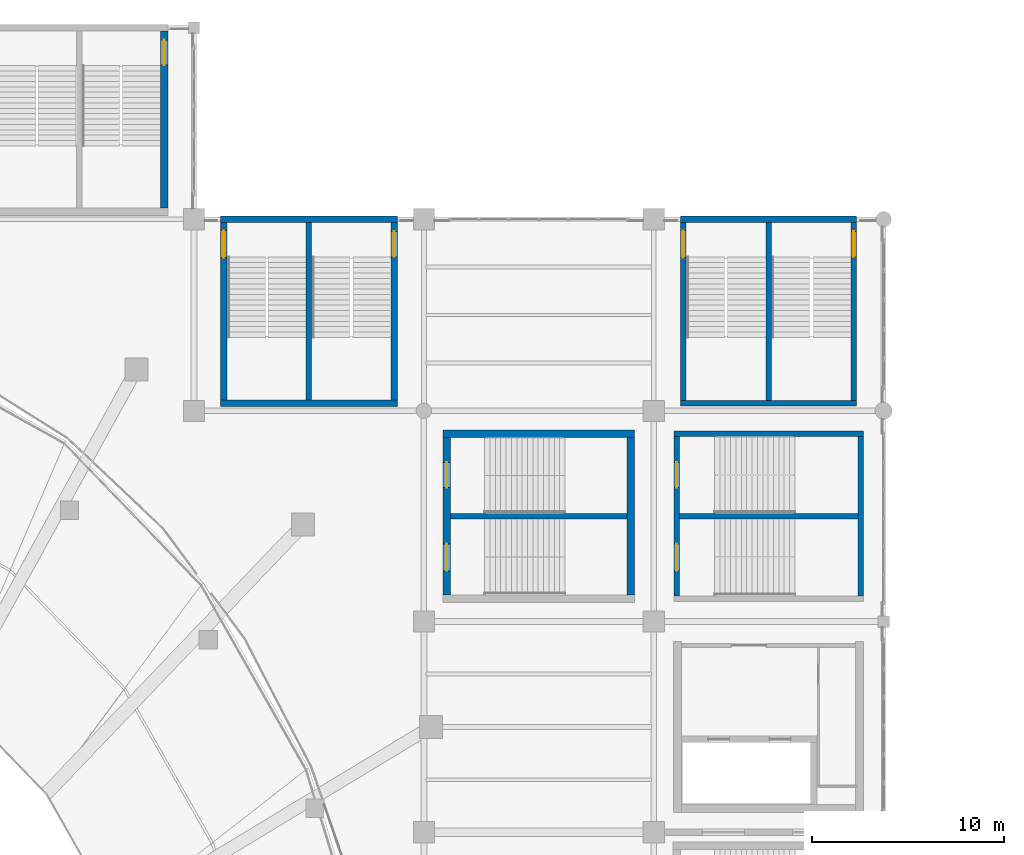
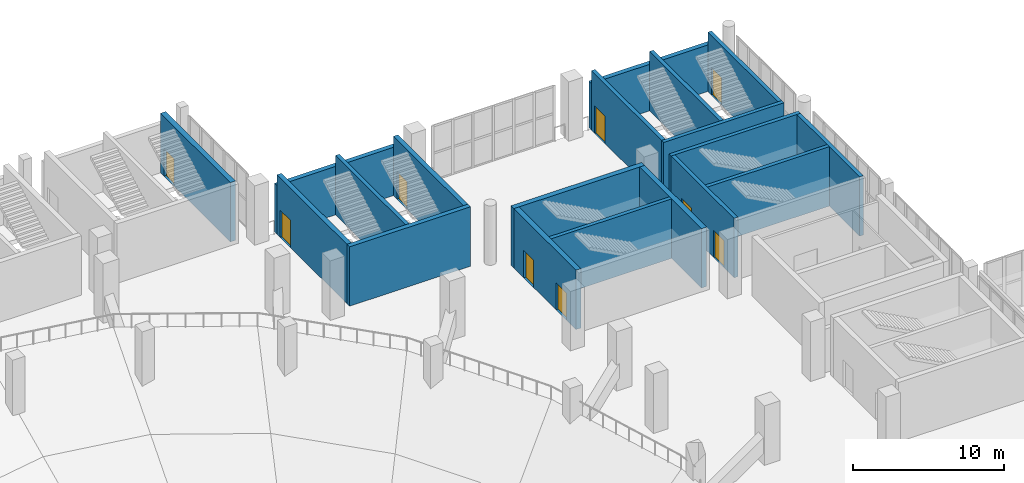
# One storey, part 114 of 136: 19 walls, 9 doors, 9 openings.
"""IFC4 building model written with IfcOpenShell, lengths in metres."""

from ifc_helpers import new_model, si_unit, direction, frame, frame_2d, origin, place, context, subcontext, project, spatial, rectangle, extrude, material, layer, layer_set, type_object, element, fill, save


model = new_model("IFC4")

# Units and contexts
model_context = context("Model", 3, precision=1e-05, world=origin(), true_north=direction((0.0, 1.0)))
body_context = subcontext(model_context, "Body", "Model", "MODEL_VIEW")
ifc_project = project(units=[si_unit("LENGTHUNIT", "METRE"), si_unit("AREAUNIT", "SQUARE_METRE"), si_unit("VOLUMEUNIT", "CUBIC_METRE"), si_unit("PLANEANGLEUNIT", "RADIAN"), si_unit("MASSUNIT", "GRAM", prefix="KILO")], contexts=[model_context])

# Site, building, storey
site_placement = place(None, origin())
site = spatial("IfcSite", under=ifc_project, at=site_placement, CompositionType="ELEMENT")
building_placement = place(site_placement, origin())
building = spatial("IfcBuilding", under=site, at=building_placement, Name="Brinegate Civic Arena", CompositionType="ELEMENT")
storey_placement = place(building_placement, frame((0.0, 0.0, 5.39990234375)))
storey = spatial("IfcBuildingStorey", under=building, at=storey_placement, Name="L01", CompositionType="ELEMENT", Elevation=5.39990234375)

# Wall
ifc_material_1 = material(Name="Concrete C50/60", Category="concrete")
ifc_layer_1 = layer(ifc_material_1, 0.35009765625, Name="Concrete C50/60")
ifc_layer_set_1 = layer_set([ifc_layer_1], Name="Concrete C50/60")
wall_type_1 = type_object("IfcWallType", Name="WALL-CORE-SHEAR-350", PredefinedType="SHEAR", material=ifc_layer_set_1)
wall_1_placement = place(storey_placement, frame((133.375, 104.39990234375, 0.0), z_axis=(0.0, 0.0, 1.0), x_axis=(1.0, 0.0, 0.0)))
element("IfcWall", 1, at=wall_1_placement, inside=storey, type_object=wall_type_1, Name="Stair ST-13 South Shear Wall L01 (WBE-35)", PredefinedType="SHEAR", context=body_context, shape_type="SweptSolid", body=[
    extrude(rectangle(XDim=9.25, YDim=0.35009765625, at=frame_2d((4.625, 0.0))), origin(), (0.0, 0.0, 1.0), 4.800048828125),
])

# Wall, opening, door
wall_2_placement = place(storey_placement, frame((133.550048828125, 104.574951171875, 0.0), z_axis=(0.0, 0.0, 1.0), x_axis=(0.0, 1.0, 0.0)))
wall_2 = element("IfcWall", 2, at=wall_2_placement, inside=storey, type_object=wall_type_1, Name="Stair ST-13 West Shear Wall L01 (WBE-37)", PredefinedType="SHEAR", context=body_context, shape_type="SweptSolid", body=[
    extrude(rectangle(XDim=9.25, YDim=0.35009765625, at=frame_2d((4.625, 0.0))), origin(), (0.0, 0.0, 1.0), 4.800048828125),
])
opening_1_placement = place(wall_2_placement, frame((7.425048828125, 0.0, 0.0)))
opening_1 = element("IfcOpeningElement", 3, at=opening_1_placement, cuts=wall_2, Name="Opening D-ST13A-L01", PredefinedType="OPENING", context=body_context, shape_type="SweptSolid", body=[
    extrude(rectangle(XDim=1.39990234375, YDim=2.199951171875, at=frame_2d((0.699951171875, 1.10009765625))), frame((0.0, 0.18505859375, 0.0), z_axis=(0.0, -1.0, 0.0), x_axis=(1.0, 0.0, 0.0)), (0.0, 0.0, 1.0), 0.3701171875),
])
ifc_material_2 = material(Name="Galvanized hurricane steel", Category="steel")
door_type_1 = type_object("IfcDoorType", Name="DOOR-STAIR-2400X2200", OperationType="NOTDEFINED", PredefinedType="DOOR", material=ifc_material_2)
door_1_placement = place(opening_1_placement, frame((1.39990234375, 0.0, 0.0), z_axis=(0.0, 0.0, 1.0), x_axis=(-1.0, 0.0, 0.0)))
door_1 = element("IfcDoor", 4, at=door_1_placement, inside=storey, type_object=door_type_1, Name="Protected Exit Stair Door D-ST13A-L01", OperationType="DOUBLE_DOOR_SINGLE_SWING", OverallHeight=2.199951171875, OverallWidth=1.39990234375, PredefinedType="DOOR", context=body_context, shape_type="SweptSolid", body=[
    extrude(rectangle(XDim=1.39990234375, YDim=2.199951171875, at=frame_2d((0.699951171875, 1.10009765625))), frame((0.0, 0.02490234375, 0.0), z_axis=(0.0, -1.0, 0.0), x_axis=(1.0, 0.0, 0.0)), (0.0, 0.0, 1.0), 0.050048828125),
])
fill(opening_1, door_1)

wall_3_placement = place(storey_placement, frame((142.449951171875, 104.574951171875, 0.0), z_axis=(0.0, 0.0, 1.0), x_axis=(0.0, 1.0, 0.0)))
wall_3 = element("IfcWall", 5, at=wall_3_placement, inside=storey, type_object=wall_type_1, Name="Stair ST-13 East Shear Wall L01 (WBE-38)", PredefinedType="SHEAR", context=body_context, shape_type="SweptSolid", body=[
    extrude(rectangle(XDim=9.25, YDim=0.35009765625, at=frame_2d((4.625, 0.0))), origin(), (0.0, 0.0, 1.0), 4.800048828125),
])
opening_2_placement = place(wall_3_placement, frame((7.465087890625, 0.0, 0.0)))
opening_2 = element("IfcOpeningElement", 6, at=opening_2_placement, cuts=wall_3, Name="Opening D-ST13B-L01", PredefinedType="OPENING", context=body_context, shape_type="SweptSolid", body=[
    extrude(rectangle(XDim=1.320068359375, YDim=2.199951171875, at=frame_2d((0.66015625, 1.10009765625))), frame((0.0, 0.18505859375, 0.0), z_axis=(0.0, -1.0, 0.0), x_axis=(1.0, 0.0, 0.0)), (0.0, 0.0, 1.0), 0.3701171875),
])
door_type_2 = type_object("IfcDoorType", Name="DOOR-STAIR-2200X2200", OperationType="NOTDEFINED", PredefinedType="DOOR", material=ifc_material_2)
door_2_placement = place(opening_2_placement, origin())
door_2 = element("IfcDoor", 7, at=door_2_placement, inside=storey, type_object=door_type_2, Name="Protected Exit Stair Door D-ST13B-L01", OperationType="DOUBLE_DOOR_SINGLE_SWING", OverallHeight=2.199951171875, OverallWidth=1.320068359375, PredefinedType="DOOR", context=body_context, shape_type="SweptSolid", body=[
    extrude(rectangle(XDim=1.320068359375, YDim=2.199951171875, at=frame_2d((0.66015625, 1.10009765625))), frame((0.0, 0.02490234375, 0.0), z_axis=(0.0, -1.0, 0.0), x_axis=(1.0, 0.0, 0.0)), (0.0, 0.0, 1.0), 0.050048828125),
])
fill(opening_2, door_2)

ifc_layer_2 = layer(ifc_material_1, 0.389892578125, Name="Concrete C50/60")
ifc_layer_set_2 = layer_set([ifc_layer_2], Name="Concrete C50/60")
wall_type_2 = type_object("IfcWallType", Name="WALL-CORE-SHEAR-390", PredefinedType="SHEAR", material=ifc_layer_set_2)
wall_4_placement = place(storey_placement, frame((130.449951171875, 114.594970703125, 0.0), z_axis=(0.0, 0.0, 1.0), x_axis=(0.0, 1.0, 0.0)))
wall_4 = element("IfcWall", 8, at=wall_4_placement, inside=storey, type_object=wall_type_2, Name="Stair ST-03 East Shear Wall L01 (WBB-70)", PredefinedType="SHEAR", context=body_context, shape_type="SweptSolid", body=[
    extrude(rectangle(XDim=9.22998046875, YDim=0.389892578125, at=frame_2d((4.614990234375, 0.0))), origin(), (0.0, 0.0, 1.0), 4.800048828125),
])
opening_3_placement = place(wall_4_placement, frame((7.445068359375, 0.0, 0.0)))
opening_3 = element("IfcOpeningElement", 9, at=opening_3_placement, cuts=wall_4, Name="Opening D-ST03B-L01", PredefinedType="OPENING", context=body_context, shape_type="SweptSolid", body=[
    extrude(rectangle(XDim=1.320068359375, YDim=2.199951171875, at=frame_2d((0.66015625, 1.10009765625))), frame((0.0, 0.204833984375, 0.0), z_axis=(0.0, -1.0, 0.0), x_axis=(1.0, 0.0, 0.0)), (0.0, 0.0, 1.0), 0.409912109375),
])
door_3_placement = place(opening_3_placement, origin())
door_3 = element("IfcDoor", 10, at=door_3_placement, inside=storey, type_object=door_type_2, Name="Protected Exit Stair Door D-ST03B-L01", OperationType="DOUBLE_DOOR_SINGLE_SWING", OverallHeight=2.199951171875, OverallWidth=1.320068359375, PredefinedType="DOOR", context=body_context, shape_type="SweptSolid", body=[
    extrude(rectangle(XDim=1.320068359375, YDim=2.199951171875, at=frame_2d((0.66015625, 1.10009765625))), frame((0.0, 0.02490234375, 0.0), z_axis=(0.0, -1.0, 0.0), x_axis=(1.0, 0.0, 0.0)), (0.0, 0.0, 1.0), 0.050048828125),
])
fill(opening_3, door_3)

# Wall
wall_5_placement = place(storey_placement, frame((145.0048828125, 102.800048828125, 0.0), z_axis=(0.0, 0.0, 1.0), x_axis=(1.0, 0.0, 0.0)))
element("IfcWall", 11, at=wall_5_placement, inside=storey, type_object=wall_type_2, Name="Stair ST-18 North Shear Wall L01 (WBL-07)", PredefinedType="SHEAR", context=body_context, shape_type="SweptSolid", body=[
    extrude(rectangle(XDim=9.990234375, YDim=0.389892578125, at=frame_2d((4.9951171875, 0.0))), origin(), (0.0, 0.0, 1.0), 4.800048828125),
])

# Wall, openings, doors
wall_6_placement = place(storey_placement, frame((145.199951171875, 94.39501953125, 0.0), z_axis=(0.0, 0.0, 1.0), x_axis=(0.0, 1.0, 0.0)))
wall_6 = element("IfcWall", 12, at=wall_6_placement, inside=storey, type_object=wall_type_2, Name="Stair ST-18 West Shear Wall L01 (WBL-08)", PredefinedType="SHEAR", context=body_context, shape_type="SweptSolid", body=[
    extrude(rectangle(XDim=8.2099609375, YDim=0.389892578125, at=frame_2d((4.10498046875, 0.0))), origin(), (0.0, 0.0, 1.0), 4.800048828125),
])
opening_4_placement = place(wall_6_placement, frame((1.2548828125, 0.0, 0.0)))
opening_4 = element("IfcOpeningElement", 13, at=opening_4_placement, cuts=wall_6, Name="Opening D-ST18A-L01", PredefinedType="OPENING", context=body_context, shape_type="SweptSolid", body=[
    extrude(rectangle(XDim=1.39990234375, YDim=2.199951171875, at=frame_2d((0.699951171875, 1.10009765625))), frame((0.0, 0.204833984375, 0.0), z_axis=(0.0, -1.0, 0.0), x_axis=(1.0, 0.0, 0.0)), (0.0, 0.0, 1.0), 0.409912109375),
])
opening_5_placement = place(wall_6_placement, frame((5.594970703125, 0.0, 0.0)))
opening_5 = element("IfcOpeningElement", 14, at=opening_5_placement, cuts=wall_6, Name="Opening D-ST18B-L01", PredefinedType="OPENING", context=body_context, shape_type="SweptSolid", body=[
    extrude(rectangle(XDim=1.320068359375, YDim=2.199951171875, at=frame_2d((0.66015625, 1.10009765625))), frame((0.0, 0.204833984375, 0.0), z_axis=(0.0, -1.0, 0.0), x_axis=(1.0, 0.0, 0.0)), (0.0, 0.0, 1.0), 0.409912109375),
])
door_4_placement = place(opening_5_placement, origin())
door_4 = element("IfcDoor", 15, at=door_4_placement, inside=storey, type_object=door_type_2, Name="Protected Exit Stair Door D-ST18B-L01", OperationType="DOUBLE_DOOR_SINGLE_SWING", OverallHeight=2.199951171875, OverallWidth=1.320068359375, PredefinedType="DOOR", context=body_context, shape_type="SweptSolid", body=[
    extrude(rectangle(XDim=1.320068359375, YDim=2.199951171875, at=frame_2d((0.66015625, 1.10009765625))), frame((0.0, 0.02490234375, 0.0), z_axis=(0.0, -1.0, 0.0), x_axis=(1.0, 0.0, 0.0)), (0.0, 0.0, 1.0), 0.050048828125),
])
fill(opening_5, door_4)
door_5_placement = place(opening_4_placement, origin())
door_5 = element("IfcDoor", 16, at=door_5_placement, inside=storey, type_object=door_type_1, Name="Protected Exit Stair Door D-ST18A-L01", OperationType="DOUBLE_DOOR_SINGLE_SWING", OverallHeight=2.199951171875, OverallWidth=1.39990234375, PredefinedType="DOOR", context=body_context, shape_type="SweptSolid", body=[
    extrude(rectangle(XDim=1.39990234375, YDim=2.199951171875, at=frame_2d((0.699951171875, 1.10009765625))), frame((0.0, 0.02490234375, 0.0), z_axis=(0.0, -1.0, 0.0), x_axis=(1.0, 0.0, 0.0)), (0.0, 0.0, 1.0), 0.050048828125),
])
fill(opening_4, door_5)

# Walls
wall_7_placement = place(storey_placement, frame((154.800048828125, 94.39501953125, 0.0), z_axis=(0.0, 0.0, 1.0), x_axis=(0.0, 1.0, 0.0)))
element("IfcWall", 17, at=wall_7_placement, inside=storey, type_object=wall_type_2, Name="Stair ST-18 East Shear Wall L01 (WBL-09)", PredefinedType="SHEAR", context=body_context, shape_type="SweptSolid", body=[
    extrude(rectangle(XDim=8.2099609375, YDim=0.389892578125, at=frame_2d((4.10498046875, 0.0))), origin(), (0.0, 0.0, 1.0), 4.800048828125),
])
ifc_layer_3 = layer(ifc_material_1, 0.35009765625, Name="Concrete C50/60")
ifc_layer_set_3 = layer_set([ifc_layer_3], Name="Concrete C50/60")
wall_type_3 = type_object("IfcWallType", Name="WALL-EXT-STAIR-SHEAR-350", PredefinedType="SHEAR", material=ifc_layer_set_3)
wall_8_placement = place(storey_placement, frame((157.405029296875, 114.0, 0.0), z_axis=(0.0, 0.0, 1.0), x_axis=(1.0, 0.0, 0.0)))
element("IfcWall", 18, at=wall_8_placement, inside=storey, type_object=wall_type_3, Name="Stair ST-05 North Shear Wall L01 (WBC-24)", PredefinedType="SHEAR", context=body_context, shape_type="SweptSolid", body=[
    extrude(rectangle(XDim=9.18994140625, YDim=0.35009765625, at=frame_2d((4.594970703125, 0.0))), origin(), (0.0, 0.0, 1.0), 3.757080078125),
])
wall_9_placement = place(storey_placement, frame((133.375, 114.0, 0.0), z_axis=(0.0, 0.0, 1.0), x_axis=(1.0, 0.0, 0.0)))
element("IfcWall", 19, at=wall_9_placement, inside=storey, type_object=wall_type_3, Name="Stair ST-13 North Shear Wall L01 (WBE-36)", PredefinedType="SHEAR", context=body_context, shape_type="SweptSolid", body=[
    extrude(rectangle(XDim=9.25, YDim=0.35009765625, at=frame_2d((4.625, 0.0))), origin(), (0.0, 0.0, 1.0), 3.906005859375),
])
ifc_layer_4 = layer(ifc_material_1, 0.2900390625, Name="Concrete C50/60")
ifc_layer_set_4 = layer_set([ifc_layer_4], Name="Concrete C50/60")
wall_type_4 = type_object("IfcWallType", Name="WALL-STAIR-SHEAR-290", PredefinedType="SHEAR", material=ifc_layer_set_4)
wall_10_placement = place(storey_placement, frame((157.405029296875, 104.39990234375, 0.0), z_axis=(0.0, 0.0, 1.0), x_axis=(1.0, 0.0, 0.0)))
element("IfcWall", 20, at=wall_10_placement, inside=storey, type_object=wall_type_4, Name="Stair ST-05 South Shear Wall L01 (WBC-23)", PredefinedType="SHEAR", context=body_context, shape_type="SweptSolid", body=[
    extrude(rectangle(XDim=9.18994140625, YDim=0.2900390625, at=frame_2d((4.594970703125, 0.0))), origin(), (0.0, 0.0, 1.0), 4.800048828125),
])

# Wall, opening, door
wall_11_placement = place(storey_placement, frame((157.550048828125, 104.544921875, 0.0), z_axis=(0.0, 0.0, 1.0), x_axis=(0.0, 1.0, 0.0)))
wall_11 = element("IfcWall", 21, at=wall_11_placement, inside=storey, type_object=wall_type_4, Name="Stair ST-05 West Shear Wall L01 (WBC-25)", PredefinedType="SHEAR", context=body_context, shape_type="SweptSolid", body=[
    extrude(rectangle(XDim=9.280029296875, YDim=0.2900390625, at=frame_2d((4.64013671875, 0.0))), origin(), (0.0, 0.0, 1.0), 4.800048828125),
])
opening_6_placement = place(wall_11_placement, frame((7.455078125, 0.0, 0.0)))
opening_6 = element("IfcOpeningElement", 22, at=opening_6_placement, cuts=wall_11, Name="Opening D-ST05A-L01", PredefinedType="OPENING", context=body_context, shape_type="SweptSolid", body=[
    extrude(rectangle(XDim=1.39990234375, YDim=2.199951171875, at=frame_2d((0.699951171875, 1.10009765625))), frame((0.0, 0.155029296875, 0.0), z_axis=(0.0, -1.0, 0.0), x_axis=(1.0, 0.0, 0.0)), (0.0, 0.0, 1.0), 0.31005859375),
])
door_6_placement = place(opening_6_placement, frame((1.39990234375, 0.0, 0.0), z_axis=(0.0, 0.0, 1.0), x_axis=(-1.0, 0.0, 0.0)))
door_6 = element("IfcDoor", 23, at=door_6_placement, inside=storey, type_object=door_type_1, Name="Protected Exit Stair Door D-ST05A-L01", OperationType="DOUBLE_DOOR_SINGLE_SWING", OverallHeight=2.199951171875, OverallWidth=1.39990234375, PredefinedType="DOOR", context=body_context, shape_type="SweptSolid", body=[
    extrude(rectangle(XDim=1.39990234375, YDim=2.199951171875, at=frame_2d((0.699951171875, 1.10009765625))), frame((0.0, 0.02490234375, 0.0), z_axis=(0.0, -1.0, 0.0), x_axis=(1.0, 0.0, 0.0)), (0.0, 0.0, 1.0), 0.050048828125),
])
fill(opening_6, door_6)

wall_12_placement = place(storey_placement, frame((166.449951171875, 104.544921875, 0.0), z_axis=(0.0, 0.0, 1.0), x_axis=(0.0, 1.0, 0.0)))
wall_12 = element("IfcWall", 24, at=wall_12_placement, inside=storey, type_object=wall_type_4, Name="Stair ST-05 East Shear Wall L01 (WBC-26)", PredefinedType="SHEAR", context=body_context, shape_type="SweptSolid", body=[
    extrude(rectangle(XDim=9.280029296875, YDim=0.2900390625, at=frame_2d((4.64013671875, 0.0))), origin(), (0.0, 0.0, 1.0), 4.800048828125),
])
opening_7_placement = place(wall_12_placement, frame((7.4951171875, 0.0, 0.0)))
opening_7 = element("IfcOpeningElement", 25, at=opening_7_placement, cuts=wall_12, Name="Opening D-ST05B-L01", PredefinedType="OPENING", context=body_context, shape_type="SweptSolid", body=[
    extrude(rectangle(XDim=1.320068359375, YDim=2.199951171875, at=frame_2d((0.66015625, 1.10009765625))), frame((0.0, 0.155029296875, 0.0), z_axis=(0.0, -1.0, 0.0), x_axis=(1.0, 0.0, 0.0)), (0.0, 0.0, 1.0), 0.31005859375),
])
door_7_placement = place(opening_7_placement, origin())
door_7 = element("IfcDoor", 26, at=door_7_placement, inside=storey, type_object=door_type_2, Name="Protected Exit Stair Door D-ST05B-L01", OperationType="DOUBLE_DOOR_SINGLE_SWING", OverallHeight=2.199951171875, OverallWidth=1.320068359375, PredefinedType="DOOR", context=body_context, shape_type="SweptSolid", body=[
    extrude(rectangle(XDim=1.320068359375, YDim=2.199951171875, at=frame_2d((0.66015625, 1.10009765625))), frame((0.0, 0.02490234375, 0.0), z_axis=(0.0, -1.0, 0.0), x_axis=(1.0, 0.0, 0.0)), (0.0, 0.0, 1.0), 0.050048828125),
])
fill(opening_7, door_7)

# Walls
wall_13_placement = place(storey_placement, frame((162.0, 104.544921875, 0.0), z_axis=(0.0, 0.0, 1.0), x_axis=(0.0, 1.0, 0.0)))
element("IfcWall", 27, at=wall_13_placement, inside=storey, type_object=wall_type_4, Name="Stair ST-05 Central Dividing Shear Wall L01 (WBC-27)", PredefinedType="SHEAR", context=body_context, shape_type="SweptSolid", body=[
    extrude(rectangle(XDim=9.280029296875, YDim=0.2900390625, at=frame_2d((4.64013671875, 0.0))), origin(), (0.0, 0.0, 1.0), 4.800048828125),
])
wall_14_placement = place(storey_placement, frame((138.0, 104.574951171875, 0.0), z_axis=(0.0, 0.0, 1.0), x_axis=(0.0, 1.0, 0.0)))
element("IfcWall", 28, at=wall_14_placement, inside=storey, type_object=wall_type_4, Name="Stair ST-13 Central Dividing Shear Wall L01 (WBE-39)", PredefinedType="SHEAR", context=body_context, shape_type="SweptSolid", body=[
    extrude(rectangle(XDim=9.25, YDim=0.2900390625, at=frame_2d((4.625, 0.0))), origin(), (0.0, 0.0, 1.0), 4.800048828125),
])
wall_15_placement = place(storey_placement, frame((145.39501953125, 98.5, 0.0), z_axis=(0.0, 0.0, 1.0), x_axis=(1.0, 0.0, 0.0)))
element("IfcWall", 29, at=wall_15_placement, inside=storey, type_object=wall_type_4, Name="Stair ST-18 Central Dividing Shear Wall L01 (WBL-10)", PredefinedType="SHEAR", context=body_context, shape_type="SweptSolid", body=[
    extrude(rectangle(XDim=9.2099609375, YDim=0.2900390625, at=frame_2d((4.60498046875, 0.0))), origin(), (0.0, 0.0, 1.0), 4.800048828125),
])
wall_16_placement = place(storey_placement, frame((157.054931640625, 102.800048828125, 0.0), z_axis=(0.0, 0.0, 1.0), x_axis=(1.0, 0.0, 0.0)))
element("IfcWall", 30, at=wall_16_placement, inside=storey, type_object=wall_type_4, Name="Stair ST-20 North Shear Wall L01 (WBL-57)", PredefinedType="SHEAR", context=body_context, shape_type="SweptSolid", body=[
    extrude(rectangle(XDim=9.89013671875, YDim=0.2900390625, at=frame_2d((4.945068359375, 0.0))), origin(), (0.0, 0.0, 1.0), 4.800048828125),
])

# Wall, openings, doors
wall_17_placement = place(storey_placement, frame((157.199951171875, 94.344970703125, 0.0), z_axis=(0.0, 0.0, 1.0), x_axis=(0.0, 1.0, 0.0)))
wall_17 = element("IfcWall", 31, at=wall_17_placement, inside=storey, type_object=wall_type_4, Name="Stair ST-20 West Shear Wall L01 (WBL-58)", PredefinedType="SHEAR", context=body_context, shape_type="SweptSolid", body=[
    extrude(rectangle(XDim=8.31005859375, YDim=0.2900390625, at=frame_2d((4.155029296875, 0.0))), origin(), (0.0, 0.0, 1.0), 4.800048828125),
])
opening_8_placement = place(wall_17_placement, frame((1.304931640625, 0.0, 0.0)))
opening_8 = element("IfcOpeningElement", 32, at=opening_8_placement, cuts=wall_17, Name="Opening D-ST20A-L01", PredefinedType="OPENING", context=body_context, shape_type="SweptSolid", body=[
    extrude(rectangle(XDim=1.39990234375, YDim=2.199951171875, at=frame_2d((0.699951171875, 1.10009765625))), frame((0.0, 0.155029296875, 0.0), z_axis=(0.0, -1.0, 0.0), x_axis=(1.0, 0.0, 0.0)), (0.0, 0.0, 1.0), 0.31005859375),
])
opening_9_placement = place(wall_17_placement, frame((5.64501953125, 0.0, 0.0)))
opening_9 = element("IfcOpeningElement", 33, at=opening_9_placement, cuts=wall_17, Name="Opening D-ST20B-L01", PredefinedType="OPENING", context=body_context, shape_type="SweptSolid", body=[
    extrude(rectangle(XDim=1.320068359375, YDim=2.199951171875, at=frame_2d((0.66015625, 1.10009765625))), frame((0.0, 0.155029296875, 0.0), z_axis=(0.0, -1.0, 0.0), x_axis=(1.0, 0.0, 0.0)), (0.0, 0.0, 1.0), 0.31005859375),
])
door_8_placement = place(opening_9_placement, origin())
door_8 = element("IfcDoor", 34, at=door_8_placement, inside=storey, type_object=door_type_2, Name="Protected Exit Stair Door D-ST20B-L01", OperationType="DOUBLE_DOOR_SINGLE_SWING", OverallHeight=2.199951171875, OverallWidth=1.320068359375, PredefinedType="DOOR", context=body_context, shape_type="SweptSolid", body=[
    extrude(rectangle(XDim=1.320068359375, YDim=2.199951171875, at=frame_2d((0.66015625, 1.10009765625))), frame((0.0, 0.02490234375, 0.0), z_axis=(0.0, -1.0, 0.0), x_axis=(1.0, 0.0, 0.0)), (0.0, 0.0, 1.0), 0.050048828125),
])
fill(opening_9, door_8)
door_9_placement = place(opening_8_placement, origin())
door_9 = element("IfcDoor", 35, at=door_9_placement, inside=storey, type_object=door_type_1, Name="Protected Exit Stair Door D-ST20A-L01", OperationType="DOUBLE_DOOR_SINGLE_SWING", OverallHeight=2.199951171875, OverallWidth=1.39990234375, PredefinedType="DOOR", context=body_context, shape_type="SweptSolid", body=[
    extrude(rectangle(XDim=1.39990234375, YDim=2.199951171875, at=frame_2d((0.699951171875, 1.10009765625))), frame((0.0, 0.02490234375, 0.0), z_axis=(0.0, -1.0, 0.0), x_axis=(1.0, 0.0, 0.0)), (0.0, 0.0, 1.0), 0.050048828125),
])
fill(opening_8, door_9)

# Walls
wall_18_placement = place(storey_placement, frame((166.800048828125, 94.344970703125, 0.0), z_axis=(0.0, 0.0, 1.0), x_axis=(0.0, 1.0, 0.0)))
element("IfcWall", 36, at=wall_18_placement, inside=storey, type_object=wall_type_4, Name="Stair ST-20 East Shear Wall L01 (WBL-59)", PredefinedType="SHEAR", context=body_context, shape_type="SweptSolid", body=[
    extrude(rectangle(XDim=8.31005859375, YDim=0.2900390625, at=frame_2d((4.155029296875, 0.0))), origin(), (0.0, 0.0, 1.0), 4.800048828125),
])
wall_19_placement = place(storey_placement, frame((157.344970703125, 98.5, 0.0), z_axis=(0.0, 0.0, 1.0), x_axis=(1.0, 0.0, 0.0)))
element("IfcWall", 37, at=wall_19_placement, inside=storey, type_object=wall_type_4, Name="Stair ST-20 Central Dividing Shear Wall L01 (WBL-60)", PredefinedType="SHEAR", context=body_context, shape_type="SweptSolid", body=[
    extrude(rectangle(XDim=9.31005859375, YDim=0.2900390625, at=frame_2d((4.655029296875, 0.0))), origin(), (0.0, 0.0, 1.0), 4.800048828125),
])

save(model, "model.ifc")
